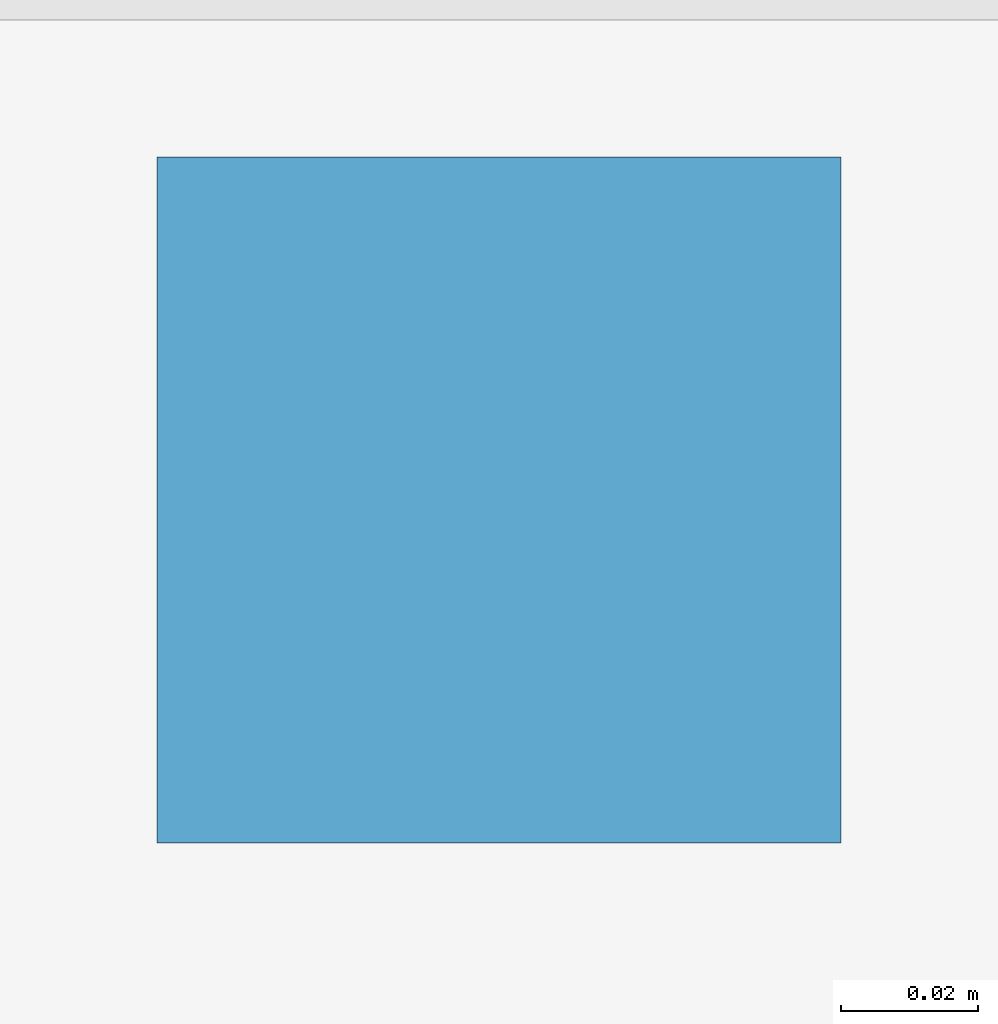
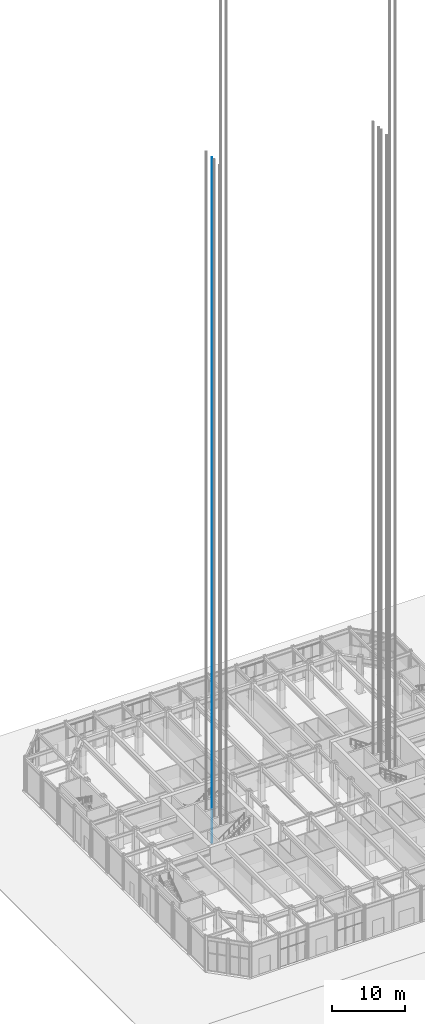
# One storey, part 28 of 39: 1 discrete accessory.
"""IFC4 building model written with IfcOpenShell, lengths in metres."""

import ifcopenshell
import ifcopenshell.guid

model = None  # the IFC model being written
_history = None  # IfcOwnerHistory: only IFC2X3 demands one
_inside = {}  # id of a spatial element -> (the spatial element, [elements in it])
_under = {}  # id of a project, library or spatial element -> (it, [spatial elements below it])
_declared = {}  # id of a project -> (the project, [libraries it declares])
_typed = {}  # id of a type object -> (the type object, [elements of that type])
_made_of = {}  # id of a material, layer set ... -> (it, [elements and type objects made of it])


def new_model(schema):
    """Start an empty IFC model of exactly this schema.

    Asked for "IFC4X3", IfcOpenShell would pick the latest addendum, in which some entities
    have other attributes; the version numbers below select the first issue.
    IFC2X3 requires an IfcOwnerHistory on every rooted entity: one is made here for all.
    """
    global model, _history
    if schema == "IFC4X3":
        model = ifcopenshell.file(schema_version=(4, 3, 0, 0))
    else:
        model = ifcopenshell.file(schema=schema)
    _inside.clear()
    _under.clear()
    _declared.clear()
    _typed.clear()
    _made_of.clear()
    _history = None
    if model.schema == "IFC2X3":
        org = make("IfcOrganization", Name="unknown")
        user = make(
            "IfcPersonAndOrganization",
            ThePerson=make("IfcPerson", FamilyName="unknown"),
            TheOrganization=org,
        )
        app = make(
            "IfcApplication",
            ApplicationDeveloper=org,
            Version="unknown",
            ApplicationFullName="unknown",
            ApplicationIdentifier="unknown",
        )
        _history = make(
            "IfcOwnerHistory",
            OwningUser=user,
            OwningApplication=app,
            ChangeAction="ADDED",
            CreationDate=0,
        )
    return model


def make(cls, **values):
    """One entity of the class cls with the attributes given. An attribute that is None is left unset."""
    return model.create_entity(
        cls, **{name: value for name, value in values.items() if value is not None}
    )


def rooted(cls, **values):
    """An entity with a GlobalId (a new one), such as an element, a storey or a relation."""
    return make(cls, GlobalId=ifcopenshell.guid.new(), OwnerHistory=_history, **values)


def si_unit(unit_type, name, prefix=None):
    """IfcSIUnit, for example si_unit("LENGTHUNIT", "METRE", prefix="MILLI")."""
    return make("IfcSIUnit", UnitType=unit_type, Prefix=prefix, Name=name)


def assignment(units):
    """IfcUnitAssignment: the units of a project."""
    return None if units is None else make("IfcUnitAssignment", Units=units)


def point(xyz):
    """IfcCartesianPoint."""
    return None if xyz is None else make("IfcCartesianPoint", Coordinates=xyz)


def direction(xyz):
    """IfcDirection."""
    return None if xyz is None else make("IfcDirection", DirectionRatios=xyz)


def frame(location, z_axis=None, x_axis=None):
    """IfcAxis2Placement3D, a coordinate frame: its origin and axes. An axis left out is left unset."""
    return make(
        "IfcAxis2Placement3D",
        Location=point(location),
        Axis=direction(z_axis),
        RefDirection=direction(x_axis),
    )


def origin():
    """The frame at (0, 0, 0) with its axes left unset."""
    return frame((0.0, 0.0, 0.0))


def place(relative_to, where):
    """IfcLocalPlacement: puts the frame where relative to a parent placement (None: the world)."""
    return make(
        "IfcLocalPlacement", PlacementRelTo=relative_to, RelativePlacement=where
    )


def context(
    kind, dimensions, precision=None, world=None, true_north=None, identifier=None
):
    """IfcGeometricRepresentationContext, for example the 3D "Model" context."""
    return make(
        "IfcGeometricRepresentationContext",
        ContextIdentifier=identifier,
        ContextType=kind,
        CoordinateSpaceDimension=dimensions,
        Precision=precision,
        WorldCoordinateSystem=world,
        TrueNorth=true_north,
    )


def subcontext(parent, identifier, kind, view, scale=None):
    """IfcGeometricRepresentationSubContext, for example "Body" below "Model"."""
    return make(
        "IfcGeometricRepresentationSubContext",
        ContextIdentifier=identifier,
        ContextType=kind,
        ParentContext=parent,
        TargetScale=scale,
        TargetView=view,
    )


def project(units=None, contexts=None):
    """IfcProject with its units and contexts."""
    return rooted(
        "IfcProject",
        Name="project",
        RepresentationContexts=contexts,
        UnitsInContext=assignment(units),
    )


def spatial(cls, under=None, at=None, **own):
    """A site, building, storey or space (cls), placed at a placement, below another one or the project."""
    s = rooted(cls, ObjectPlacement=at, **own)
    if under is not None:
        _under.setdefault(under.id(), (under, []))[1].append(s)
    return s


def polyline(points):
    """IfcPolyline through the points."""
    return make("IfcPolyline", Points=[point(p) for p in points])


def outline(outer, holes=None, kind="AREA"):
    """IfcArbitraryClosedProfileDef: a profile drawn as a closed curve; with holes, ...WithVoids."""
    if holes is None:
        return make("IfcArbitraryClosedProfileDef", ProfileType=kind, OuterCurve=outer)
    return make(
        "IfcArbitraryProfileDefWithVoids",
        ProfileType=kind,
        OuterCurve=outer,
        InnerCurves=holes,
    )


def extrude(swept, where, along, depth):
    """IfcExtrudedAreaSolid: the profile swept, set in the frame where, extruded along a direction by depth."""
    return make(
        "IfcExtrudedAreaSolid",
        SweptArea=swept,
        Position=where,
        ExtrudedDirection=direction(along),
        Depth=depth,
    )


def shape(context_of_items, identifier, shape_type, items):
    """IfcShapeRepresentation: the items that make up one representation, for example the "Body"."""
    return make(
        "IfcShapeRepresentation",
        ContextOfItems=context_of_items,
        RepresentationIdentifier=identifier,
        RepresentationType=shape_type,
        Items=items,
    )


def made_of(thing, what):
    """Note that an element or type object is made of a material, layer set ...; save() writes the relation."""
    if what is not None:
        _made_of.setdefault(what.id(), (what, []))[1].append(thing)
    return thing


def element(
    cls,
    number,
    at=None,
    inside=None,
    cuts=None,
    type_object=None,
    material=None,
    context=None,
    identifier="Body",
    shape_type=None,
    held_by="IfcProductDefinitionShape",
    body=None,
    shapes=None,
    **own,
):
    """One element of the class cls, such as IfcWall. Its Tag is "e" and its number.

    at: its placement. inside: the storey or other place that contains it. cuts: it is an
    opening in that element (IfcRelVoidsElement). A single representation is given by context,
    identifier, shape_type and body (its items); several are given by shapes. held_by: the class
    of the entity that holds the representations. save() writes the other relations.
    """
    e = rooted(cls, Tag="e%d" % number, ObjectPlacement=at, **own)
    if body is not None:
        shapes = [shape(context, identifier, shape_type, body)]
    if shapes is not None:
        e.Representation = make(held_by, Representations=shapes)
    if inside is not None:
        _inside.setdefault(inside.id(), (inside, []))[1].append(e)
    if cuts is not None:
        rooted(
            "IfcRelVoidsElement", RelatingBuildingElement=cuts, RelatedOpeningElement=e
        )
    if type_object is not None:
        _typed.setdefault(type_object.id(), (type_object, []))[1].append(e)
    return made_of(e, material)


def aggregate(whole, parts):
    """IfcRelAggregates: a whole, such as a stair, and the parts it consists of."""
    return rooted("IfcRelAggregates", RelatingObject=whole, RelatedObjects=parts)


def save(model, path):
    """Write the relations noted so far, then the file.

    IfcRelAggregates (storeys below a building ...), IfcRelContainedInSpatialStructure (elements
    in a storey), IfcRelDefinesByType, IfcRelAssociatesMaterial and IfcRelDeclares: one each for
    every whole, place, type object, material and project.
    """
    for whole, parts in _under.values():
        aggregate(whole, parts)
    for where, things in _inside.values():
        rooted(
            "IfcRelContainedInSpatialStructure",
            RelatedElements=things,
            RelatingStructure=where,
        )
    for kind, things in _typed.values():
        rooted("IfcRelDefinesByType", RelatedObjects=things, RelatingType=kind)
    for what, things in _made_of.values():
        rooted("IfcRelAssociatesMaterial", RelatedObjects=things, RelatingMaterial=what)
    for by, libraries in _declared.values():
        rooted("IfcRelDeclares", RelatingContext=by, RelatedDefinitions=libraries)
    model.write(path)


model = new_model("IFC4")

# Units and contexts
model_context = context("Model", 3, precision=1e-05, world=origin(), true_north=direction((0.0, 1.0)))
body_context = subcontext(model_context, "Body", "Model", "MODEL_VIEW")
ifc_project = project(units=[si_unit("LENGTHUNIT", "METRE"), si_unit("AREAUNIT", "SQUARE_METRE"), si_unit("VOLUMEUNIT", "CUBIC_METRE"), si_unit("PLANEANGLEUNIT", "RADIAN"), si_unit("MASSUNIT", "GRAM", prefix="KILO")], contexts=[model_context])

# Site, building, storey
site_placement = place(None, origin())
site = spatial("IfcSite", under=ifc_project, at=site_placement, CompositionType="ELEMENT")
building_placement = place(site_placement, origin())
building = spatial("IfcBuilding", under=site, at=building_placement, Name="Msasa Ring Tower", CompositionType="ELEMENT")
storey_placement = place(building_placement, origin())
storey = spatial("IfcBuildingStorey", under=building, at=storey_placement, Name="L00", CompositionType="ELEMENT", Elevation=0.0)

# Discrete accessory
discrete_accessory_placement = place(storey_placement, frame((0.0, 0.0, 0.050048828125)))
element("IfcDiscreteAccessory", 1, at=discrete_accessory_placement, inside=storey, Name="Lift guide rail 1 PL-X2", ObjectType="LIFT GUIDE RAIL", PredefinedType="USERDEFINED", context=body_context, shape_type="SweptSolid", body=[
    extrude(outline(polyline([(-13.27490234375, 1.22998046875), (-13.175048828125, 1.22998046875), (-13.175048828125, 1.330078125), (-13.27490234375, 1.330078125), (-13.27490234375, 1.22998046875)])), origin(), (0.0, 0.0, 1.0), 114.800048828125),
])

save(model, "model.ifc")
